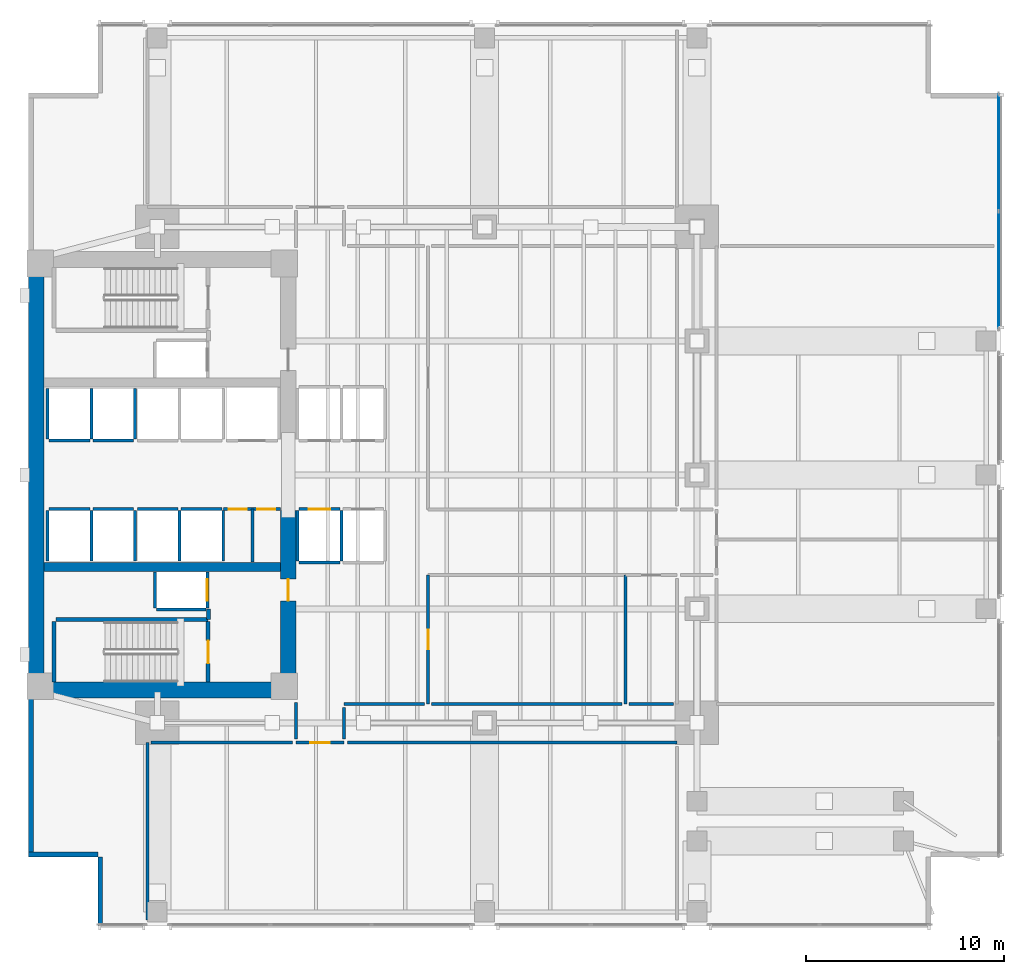
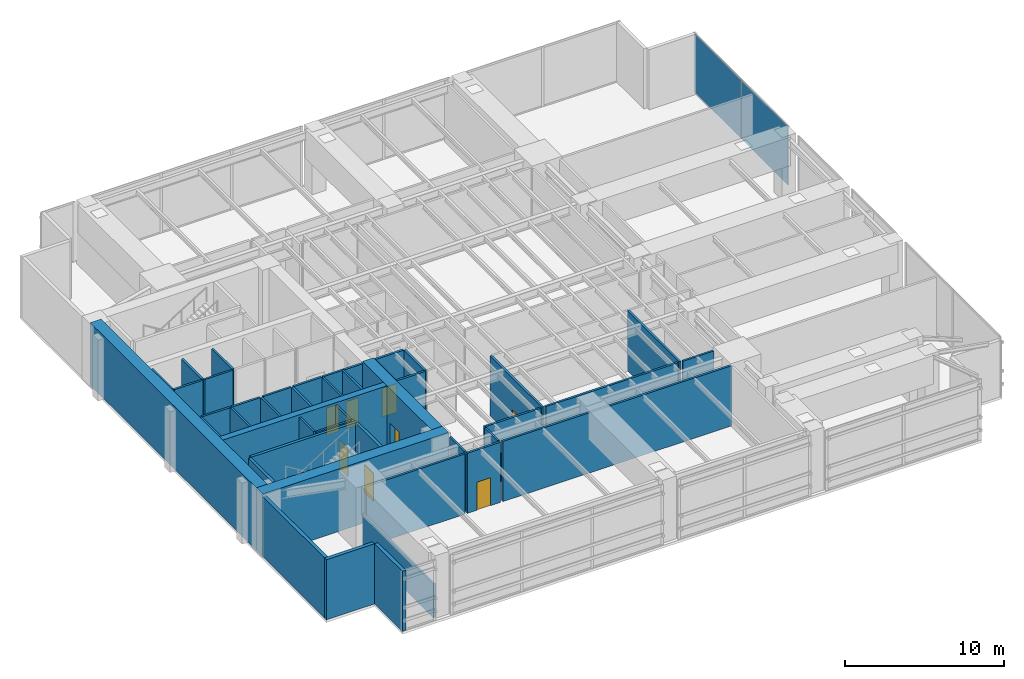
# One storey, part 8 of 14: 45 walls, 8 doors, 2 plates, 8 openings, 1 element without a shape of its own.
"""IFC4 building model written with IfcOpenShell, lengths in metres."""

from ifc_helpers import new_model, si_unit, direction, frame, frame_2d, origin, origin_2d, place, context, subcontext, project, spatial, rectangle, extrude, material, layer, layer_set, type_object, element, fill, aggregate, save


model = new_model("IFC4")

# Units and contexts
model_context = context("Model", 3, precision=1e-05, world=origin(), true_north=direction((0.0, 1.0)))
body_context = subcontext(model_context, "Body", "Model", "MODEL_VIEW")
ifc_project = project(units=[si_unit("LENGTHUNIT", "METRE"), si_unit("AREAUNIT", "SQUARE_METRE"), si_unit("VOLUMEUNIT", "CUBIC_METRE"), si_unit("PLANEANGLEUNIT", "RADIAN"), si_unit("MASSUNIT", "GRAM", prefix="KILO")], contexts=[model_context])

# Site, building, storey
site_placement = place(None, origin())
site = spatial("IfcSite", under=ifc_project, at=site_placement, CompositionType="ELEMENT")
building_placement = place(site_placement, origin())
building = spatial("IfcBuilding", under=site, at=building_placement, Name="Kinhvarn Gate Tower", CompositionType="ELEMENT")
storey_placement = place(building_placement, frame((0.0, 0.0, 93.050048828125)))
storey = spatial("IfcBuildingStorey", under=building, at=storey_placement, Name="L24", CompositionType="ELEMENT", Elevation=93.050048828125)

# Curtain wall, plates
ifc_material_1 = material(Name="Anodised aluminium AW-6063", Category="aluminium")
ifc_layer_1 = layer(ifc_material_1, 0.179931640625)
ifc_layer_set_1 = layer_set([ifc_layer_1], Name="Anodised aluminium AW-6063")
curtain_wall_type = type_object("IfcCurtainWallType", Name="CW-SYS-2", PredefinedType="NOTDEFINED", material=ifc_layer_set_1)
curtain_wall_placement = place(storey_placement, origin())
curtain_wall = element("IfcCurtainWall", 1, at=curtain_wall_placement, inside=storey, type_object=curtain_wall_type, Name="Curtain Wall CW2 (L24)", PredefinedType="NOTDEFINED")
ifc_material_2 = material(Name="Fired architectural terracotta", Category="masonry")
ifc_layer_2 = layer(ifc_material_2, 0.0400390625)
ifc_layer_set_2 = layer_set([ifc_layer_2], Name="Fired architectural terracotta")
plate_type = type_object("IfcPlateType", Name="CW-PNL-TER", PredefinedType="CURTAIN_PANEL", material=ifc_layer_set_2)
plate_1_placement = place(storey_placement, frame((53.409912109375, 35.577392578125, 0.070068359375), z_axis=(0.0, 0.0, 1.0), x_axis=(0.0, 1.0, 0.0)))
plate_1 = element("IfcPlate", 2, at=plate_1_placement, type_object=plate_type, Name="CW2 panel 1.1", PredefinedType="CURTAIN_PANEL", context=body_context, shape_type="SweptSolid", body=[
    extrude(rectangle(XDim=5.85498046875, YDim=0.0400390625, at=origin_2d()), origin(), (0.0, 0.0, 1.0), 4.47998046875),
])
plate_2_placement = place(storey_placement, frame((53.409912109375, 41.50244140625, 0.070068359375), z_axis=(0.0, 0.0, 1.0), x_axis=(0.0, 1.0, 0.0)))
plate_2 = element("IfcPlate", 3, at=plate_2_placement, type_object=plate_type, Name="CW2 panel 2.1", PredefinedType="CURTAIN_PANEL", context=body_context, shape_type="SweptSolid", body=[
    extrude(rectangle(XDim=5.85498046875, YDim=0.0400390625, at=origin_2d()), origin(), (0.0, 0.0, 1.0), 4.47998046875),
])
aggregate(curtain_wall, [plate_1, plate_2])

# Walls
ifc_material_3 = material(Name="Concrete C50/60", Category="concrete")
ifc_layer_3 = layer(ifc_material_3, 0.449951171875)
ifc_layer_set_3 = layer_set([ifc_layer_3], Name="Concrete C50/60")
wall_type_1 = type_object("IfcWallType", Name="WL-CORE-450", PredefinedType="SHEAR", material=ifc_layer_set_3)
wall_1_placement = place(storey_placement, frame((5.300048828125, 20.60009765625, 0.0), z_axis=(0.0, 0.0, 1.0), x_axis=(1.0, 0.0, 0.0)))
element("IfcWall", 4, at=wall_1_placement, inside=storey, type_object=wall_type_1, Name="Core South Spine Shear Wall L24 450 mm", PredefinedType="SHEAR", context=body_context, shape_type="SweptSolid", body=[
    extrude(rectangle(XDim=11.89990234375, YDim=0.449951171875, at=frame_2d((5.949951171875, 0.0))), origin(), (0.0, 0.0, 1.0), 4.800048828125),
])
ifc_material_4 = material(Name="Concrete C70/85", Category="concrete")
ifc_layer_4 = layer(ifc_material_4, 0.800048828125)
ifc_layer_set_4 = layer_set([ifc_layer_4], Name="Concrete C70/85")
wall_type_2 = type_object("IfcWallType", Name="WL-CORE-800", PredefinedType="SHEAR", material=ifc_layer_set_4)
wall_2_placement = place(storey_placement, frame((4.5, 14.39990234375, 0.0), z_axis=(0.0, 0.0, 1.0), x_axis=(1.0, 0.0, 0.0)))
element("IfcWall", 5, at=wall_2_placement, inside=storey, type_object=wall_type_2, Name="Core South Shear Wall L24 800 mm", PredefinedType="SHEAR", context=body_context, shape_type="SweptSolid", body=[
    extrude(rectangle(XDim=13.5, YDim=0.800048828125, at=frame_2d((6.75, 0.0))), origin(), (0.0, 0.0, 1.0), 4.800048828125),
])

# Wall, opening, door
wall_3_placement = place(storey_placement, frame((17.60009765625, 14.800048828125, 0.0), z_axis=(0.0, 0.0, 1.0), x_axis=(0.0, 1.0, 0.0)))
wall_3 = element("IfcWall", 6, at=wall_3_placement, inside=storey, type_object=wall_type_2, Name="Core East-South Shear Pier L24 800 mm", PredefinedType="SHEAR", context=body_context, shape_type="SweptSolid", body=[
    extrude(rectangle(XDim=8.64990234375, YDim=0.800048828125, at=frame_2d((4.324951171875, 0.0))), origin(), (0.0, 0.0, 1.0), 4.800048828125),
])
opening_1_placement = place(wall_3_placement, frame((4.10009765625, 0.0, 0.0)))
opening_1 = element("IfcOpeningElement", 7, at=opening_1_placement, cuts=wall_3, Name="Opening FD-02", PredefinedType="OPENING", context=body_context, shape_type="SweptSolid", body=[
    extrude(rectangle(XDim=1.10009765625, YDim=2.14990234375, at=frame_2d((0.550048828125, 1.074951171875))), frame((0.0, 0.41015625, 0.0), z_axis=(0.0, -1.0, 0.0), x_axis=(1.0, 0.0, 0.0)), (0.0, 0.0, 1.0), 0.820068359375),
])
door_type_1 = type_object("IfcDoorType", Name="DR-FD-1100", OperationType="NOTDEFINED", PredefinedType="DOOR", material=ifc_material_1)
door_1_placement = place(opening_1_placement, origin())
door_1 = element("IfcDoor", 8, at=door_1_placement, inside=storey, type_object=door_type_1, Name="Firefighting Lobby Core Door (L24)", OperationType="SINGLE_SWING_RIGHT", OverallHeight=2.14990234375, OverallWidth=1.10009765625, PredefinedType="DOOR", context=body_context, shape_type="SweptSolid", body=[
    extrude(rectangle(XDim=1.10009765625, YDim=2.14990234375, at=frame_2d((0.550048828125, 1.074951171875))), frame((0.0, 0.02490234375, 0.0), z_axis=(0.0, -1.0, 0.0), x_axis=(1.0, 0.0, 0.0)), (0.0, 0.0, 1.0), 0.050048828125),
])
fill(opening_1, door_1)

# Walls
ifc_layer_5 = layer(ifc_material_4, 0.800048828125)
ifc_layer_set_5 = layer_set([ifc_layer_5], Name="Concrete C70/85")
wall_type_3 = type_object("IfcWallType", Name="WL-COREX-800", PredefinedType="SHEAR", material=ifc_layer_set_5)
wall_4_placement = place(storey_placement, frame((4.89990234375, 14.800048828125, 0.0), z_axis=(0.0, 0.0, 1.0), x_axis=(0.0, 1.0, 0.0)))
element("IfcWall", 9, at=wall_4_placement, inside=storey, type_object=wall_type_3, Name="Core West Shear Wall L24 800 mm", PredefinedType="SHEAR", context=body_context, shape_type="SweptSolid", body=[
    extrude(rectangle(XDim=20.89990234375, YDim=0.800048828125, at=frame_2d((10.449951171875, 0.0))), origin(), (0.0, 0.0, 1.0), 4.800048828125),
])
ifc_layer_6 = layer(ifc_material_2, 0.25)
ifc_layer_set_6 = layer_set([ifc_layer_6], Name="Fired architectural terracotta")
wall_type_4 = type_object("IfcWallType", Name="WL-EXT-250", PredefinedType="SOLIDWALL", material=ifc_layer_set_6)
wall_5_placement = place(storey_placement, frame((4.625, 14.0, 0.0), z_axis=(0.0, 0.0, 1.0), x_axis=(0.0, -1.0, 0.0)))
element("IfcWall", 10, at=wall_5_placement, inside=storey, type_object=wall_type_4, Name="Exterior Solidwall Wall EW-250 (L24 West-South)", PredefinedType="SOLIDWALL", context=body_context, shape_type="SweptSolid", body=[
    extrude(rectangle(XDim=8.0, YDim=0.25, at=frame_2d((4.0, 0.0))), origin(), (0.0, 0.0, 1.0), 4.619873046875),
])
for number, where, z_axis, x_axis, name in (
    (11, (4.5, 6.125, 0.0), (0.0, 0.0, 1.0), (1.0, 0.0, 0.0), "Exterior Solidwall Wall EW-250 (L24 SW-Notch-1)"),
    (12, (8.125, 6.0, 0.0), (0.0, 0.0, 1.0), (0.0, -1.0, 0.0), "Exterior Solidwall Wall EW-250 (L24 SW-Notch-2)"),
):
    element("IfcWall", number, at=place(storey_placement, frame(where, z_axis=z_axis, x_axis=x_axis)), inside=storey, type_object=wall_type_4, Name=name, PredefinedType="SOLIDWALL", context=body_context, shape_type="SweptSolid", body=[
        extrude(rectangle(XDim=3.5, YDim=0.25, at=frame_2d((1.75, 0.0))), origin(), (0.0, 0.0, 1.0), 4.619873046875),
    ])
ifc_material_5 = material(Name="Gypsum acoustic partition board")
ifc_layer_7 = layer(ifc_material_5, 0.14990234375)
ifc_layer_set_7 = layer_set([ifc_layer_7], Name="Gypsum acoustic partition board")
wall_type_5 = type_object("IfcWallType", Name="WL-PLM-150", PredefinedType="PLUMBINGWALL", material=ifc_layer_set_7)
wall_6_placement = place(storey_placement, frame((34.60009765625, 13.699951171875, 0.0), z_axis=(0.0, 0.0, 1.0), x_axis=(0.0, 1.0, 0.0)))
element("IfcWall", 13, at=wall_6_placement, inside=storey, type_object=wall_type_5, Name="Interior Partition PLW-150 (L24)", PredefinedType="PLUMBINGWALL", context=body_context, shape_type="SweptSolid", body=[
    extrude(rectangle(XDim=6.5, YDim=0.14990234375, at=frame_2d((3.25, 0.0))), origin(), (0.0, 0.0, 1.0), 4.619873046875),
])
ifc_layer_8 = layer(ifc_material_5, 0.14990234375)
ifc_layer_set_8 = layer_set([ifc_layer_8], Name="Gypsum acoustic partition board")
wall_type_6 = type_object("IfcWallType", Name="WL-PRT-150F", PredefinedType="PARTITIONING", material=ifc_layer_set_8)
wall_7_placement = place(storey_placement, frame((15.800048828125, 20.85009765625, 0.0), z_axis=(0.0, 0.0, 1.0), x_axis=(0.0, 1.0, 0.0)))
element("IfcWall", 14, at=wall_7_placement, inside=storey, type_object=wall_type_6, Name="Interior Partition PW-150F (L24)", PredefinedType="PARTITIONING", context=body_context, shape_type="SweptSolid", body=[
    extrude(rectangle(XDim=2.669921875, YDim=0.14990234375, at=frame_2d((1.3349609375, 0.0))), origin(), (0.0, 0.0, 1.0), 4.619873046875),
])

# Wall, openings, doors
wall_8_placement = place(storey_placement, frame((14.330078125, 23.52001953125, 0.0), z_axis=(0.0, 0.0, 1.0), x_axis=(1.0, 0.0, 0.0)))
wall_8 = element("IfcWall", 15, at=wall_8_placement, inside=storey, type_object=wall_type_6, Name="Interior Partition PW-150F (L24)", PredefinedType="PARTITIONING", context=body_context, shape_type="SweptSolid", body=[
    extrude(rectangle(XDim=2.889892578125, YDim=0.14990234375, at=frame_2d((1.44482421875, 0.0))), origin(), (0.0, 0.0, 1.0), 4.619873046875),
])
opening_2_placement = place(wall_8_placement, frame((0.280029296875, 0.0, 0.0)))
opening_2 = element("IfcOpeningElement", 16, at=opening_2_placement, cuts=wall_8, Name="Opening FD-04", PredefinedType="OPENING", context=body_context, shape_type="SweptSolid", body=[
    extrude(rectangle(XDim=0.89990234375, YDim=2.10009765625, at=frame_2d((0.449951171875, 1.050048828125))), frame((0.0, 0.0849609375, 0.0), z_axis=(0.0, -1.0, 0.0), x_axis=(1.0, 0.0, 0.0)), (0.0, 0.0, 1.0), 0.169921875),
])
opening_3_placement = place(wall_8_placement, frame((1.7099609375, 0.0, 0.0)))
opening_3 = element("IfcOpeningElement", 17, at=opening_3_placement, cuts=wall_8, Name="Opening FD-04", PredefinedType="OPENING", context=body_context, shape_type="SweptSolid", body=[
    extrude(rectangle(XDim=0.89990234375, YDim=2.10009765625, at=frame_2d((0.449951171875, 1.050048828125))), frame((0.0, 0.0849609375, 0.0), z_axis=(0.0, -1.0, 0.0), x_axis=(1.0, 0.0, 0.0)), (0.0, 0.0, 1.0), 0.169921875),
])
door_type_2 = type_object("IfcDoorType", Name="DR-FD-900", OperationType="NOTDEFINED", PredefinedType="DOOR", material=ifc_material_1)
door_2_placement = place(opening_2_placement, origin())
door_2 = element("IfcDoor", 18, at=door_2_placement, inside=storey, type_object=door_type_2, Name="Rated Riser & Service Closet Fire Door 900x2100 mm (L24)", OperationType="SINGLE_SWING_LEFT", OverallHeight=2.10009765625, OverallWidth=0.89990234375, PredefinedType="DOOR", context=body_context, shape_type="SweptSolid", body=[
    extrude(rectangle(XDim=0.89990234375, YDim=2.10009765625, at=frame_2d((0.449951171875, 1.050048828125))), frame((0.0, 0.02490234375, 0.0), z_axis=(0.0, -1.0, 0.0), x_axis=(1.0, 0.0, 0.0)), (0.0, 0.0, 1.0), 0.050048828125),
])
fill(opening_2, door_2)
door_3_placement = place(opening_3_placement, origin())
door_3 = element("IfcDoor", 19, at=door_3_placement, inside=storey, type_object=door_type_2, Name="Rated Riser & Service Closet Fire Door 900x2100 mm (L24)", OperationType="SINGLE_SWING_RIGHT", OverallHeight=2.10009765625, OverallWidth=0.89990234375, PredefinedType="DOOR", context=body_context, shape_type="SweptSolid", body=[
    extrude(rectangle(XDim=0.89990234375, YDim=2.10009765625, at=frame_2d((0.449951171875, 1.050048828125))), frame((0.0, 0.02490234375, 0.0), z_axis=(0.0, -1.0, 0.0), x_axis=(1.0, 0.0, 0.0)), (0.0, 0.0, 1.0), 0.050048828125),
])
fill(opening_3, door_3)

# Wall, opening, door
wall_9_placement = place(storey_placement, frame((24.64990234375, 13.699951171875, 0.0), z_axis=(0.0, 0.0, 1.0), x_axis=(0.0, 1.0, 0.0)))
wall_9 = element("IfcWall", 20, at=wall_9_placement, inside=storey, type_object=wall_type_6, Name="Interior Partition PW-150F (L24)", PredefinedType="PARTITIONING", context=body_context, shape_type="SweptSolid", body=[
    extrude(rectangle(XDim=6.5, YDim=0.14990234375, at=frame_2d((3.25, 0.0))), origin(), (0.0, 0.0, 1.0), 4.619873046875),
])
opening_4_placement = place(wall_9_placement, frame((2.75, 0.0, 0.0)))
opening_4 = element("IfcOpeningElement", 21, at=opening_4_placement, cuts=wall_9, Name="Opening FD-03", PredefinedType="OPENING", context=body_context, shape_type="SweptSolid", body=[
    extrude(rectangle(XDim=1.0, YDim=2.14990234375, at=frame_2d((0.5, 1.074951171875))), frame((0.0, 0.0849609375, 0.0), z_axis=(0.0, -1.0, 0.0), x_axis=(1.0, 0.0, 0.0)), (0.0, 0.0, 1.0), 0.169921875),
])
door_type_3 = type_object("IfcDoorType", Name="DR-FD-1000", OperationType="NOTDEFINED", PredefinedType="DOOR", material=ifc_material_1)
door_4_placement = place(opening_4_placement, origin())
door_4 = element("IfcDoor", 22, at=door_4_placement, inside=storey, type_object=door_type_3, Name="Rated Plant & Corridor Fire Door 1000x2150 mm (L24)", OperationType="SINGLE_SWING_LEFT", OverallHeight=2.14990234375, OverallWidth=1.0, PredefinedType="DOOR", context=body_context, shape_type="SweptSolid", body=[
    extrude(rectangle(XDim=1.0, YDim=2.14990234375, at=frame_2d((0.5, 1.074951171875))), frame((0.0, 0.02490234375, 0.0), z_axis=(0.0, -1.0, 0.0), x_axis=(1.0, 0.0, 0.0)), (0.0, 0.0, 1.0), 0.050048828125),
])
fill(opening_4, door_4)

wall_10_placement = place(storey_placement, frame((18.0, 11.75, 0.0), z_axis=(0.0, 0.0, 1.0), x_axis=(1.0, 0.0, 0.0)))
wall_10 = element("IfcWall", 23, at=wall_10_placement, inside=storey, type_object=wall_type_6, Name="Interior Partition PW-150F (L24)", PredefinedType="PARTITIONING", context=body_context, shape_type="SweptSolid", body=[
    extrude(rectangle(XDim=2.39990234375, YDim=0.14990234375, at=frame_2d((1.199951171875, 0.0))), origin(), (0.0, 0.0, 1.0), 4.619873046875),
])
opening_5_placement = place(wall_10_placement, frame((0.699951171875, 0.0, 0.0)))
opening_5 = element("IfcOpeningElement", 24, at=opening_5_placement, cuts=wall_10, Name="Opening FD-03", PredefinedType="OPENING", context=body_context, shape_type="SweptSolid", body=[
    extrude(rectangle(XDim=1.0, YDim=2.14990234375, at=frame_2d((0.5, 1.074951171875))), frame((0.0, 0.0849609375, 0.0), z_axis=(0.0, -1.0, 0.0), x_axis=(1.0, 0.0, 0.0)), (0.0, 0.0, 1.0), 0.169921875),
])
door_5_placement = place(opening_5_placement, origin())
door_5 = element("IfcDoor", 25, at=door_5_placement, inside=storey, type_object=door_type_3, Name="Rated Plant & Corridor Fire Door 1000x2150 mm (L24)", OperationType="SINGLE_SWING_LEFT", OverallHeight=2.14990234375, OverallWidth=1.0, PredefinedType="DOOR", context=body_context, shape_type="SweptSolid", body=[
    extrude(rectangle(XDim=1.0, YDim=2.14990234375, at=frame_2d((0.5, 1.074951171875))), frame((0.0, 0.02490234375, 0.0), z_axis=(0.0, -1.0, 0.0), x_axis=(1.0, 0.0, 0.0)), (0.0, 0.0, 1.0), 0.050048828125),
])
fill(opening_5, door_5)

# Walls
wall_11_placement = place(storey_placement, frame((37.02001953125, 13.699951171875, 0.0), z_axis=(0.0, 0.0, 1.0), x_axis=(-1.0, 0.0, 0.0)))
element("IfcWall", 26, at=wall_11_placement, inside=storey, type_object=wall_type_6, Name="Interior Partition PW-150F (L24)", PredefinedType="PARTITIONING", context=body_context, shape_type="SweptSolid", body=[
    extrude(rectangle(XDim=2.239990234375, YDim=0.14990234375, at=frame_2d((1.1201171875, 0.0))), origin(), (0.0, 0.0, 1.0), 4.619873046875),
])
wall_12_placement = place(storey_placement, frame((34.419921875, 13.699951171875, 0.0), z_axis=(0.0, 0.0, 1.0), x_axis=(-1.0, 0.0, 0.0)))
element("IfcWall", 27, at=wall_12_placement, inside=storey, type_object=wall_type_6, Name="Interior Partition PW-150F (L24)", PredefinedType="PARTITIONING", context=body_context, shape_type="SweptSolid", body=[
    extrude(rectangle(XDim=9.58984375, YDim=0.14990234375, at=frame_2d((4.794921875, 0.0))), origin(), (0.0, 0.0, 1.0), 4.619873046875),
])
wall_13_placement = place(storey_placement, frame((24.469970703125, 13.699951171875, 0.0), z_axis=(0.0, 0.0, 1.0), x_axis=(-1.0, 0.0, 0.0)))
element("IfcWall", 28, at=wall_13_placement, inside=storey, type_object=wall_type_6, Name="Interior Partition PW-150F (L24)", PredefinedType="PARTITIONING", context=body_context, shape_type="SweptSolid", body=[
    extrude(rectangle(XDim=4.070068359375, YDim=0.14990234375, at=frame_2d((2.03515625, 0.0))), origin(), (0.0, 0.0, 1.0), 4.619873046875),
])
wall_14_placement = place(storey_placement, frame((20.39990234375, 13.52001953125, 0.0), z_axis=(0.0, 0.0, 1.0), x_axis=(0.0, -1.0, 0.0)))
element("IfcWall", 29, at=wall_14_placement, inside=storey, type_object=wall_type_6, Name="Interior Partition PW-150F (L24)", PredefinedType="PARTITIONING", context=body_context, shape_type="SweptSolid", body=[
    extrude(rectangle(XDim=1.590087890625, YDim=0.14990234375, at=frame_2d((0.794921875, 0.0))), origin(), (0.0, 0.0, 1.0), 4.619873046875),
])
wall_15_placement = place(storey_placement, frame((20.580078125, 11.75, 0.0), z_axis=(0.0, 0.0, 1.0), x_axis=(1.0, 0.0, 0.0)))
element("IfcWall", 30, at=wall_15_placement, inside=storey, type_object=wall_type_6, Name="Interior Partition PW-150F (L24)", PredefinedType="PARTITIONING", context=body_context, shape_type="SweptSolid", body=[
    extrude(rectangle(XDim=16.619873046875, YDim=0.14990234375, at=frame_2d((8.31005859375, 0.0))), origin(), (0.0, 0.0, 1.0), 4.619873046875),
])
wall_16_placement = place(storey_placement, frame((10.5, 2.820068359375, 0.0), z_axis=(0.0, 0.0, 1.0), x_axis=(0.0, 1.0, 0.0)))
element("IfcWall", 31, at=wall_16_placement, inside=storey, type_object=wall_type_6, Name="Interior Partition PW-150F (L24)", PredefinedType="PARTITIONING", context=body_context, shape_type="SweptSolid", body=[
    extrude(rectangle(XDim=8.929931640625, YDim=0.14990234375, at=frame_2d((4.46484375, 0.0))), origin(), (0.0, 0.0, 1.0), 2.599853515625),
])
wall_17_placement = place(storey_placement, frame((10.679931640625, 11.75, 0.0), z_axis=(0.0, 0.0, 1.0), x_axis=(1.0, 0.0, 0.0)))
element("IfcWall", 32, at=wall_17_placement, inside=storey, type_object=wall_type_6, Name="Interior Partition PW-150F (L24)", PredefinedType="PARTITIONING", context=body_context, shape_type="SweptSolid", body=[
    extrude(rectangle(XDim=7.14013671875, YDim=0.14990234375, at=frame_2d((3.570068359375, 0.0))), origin(), (0.0, 0.0, 1.0), 4.619873046875),
])
wall_18_placement = place(storey_placement, frame((18.0, 11.929931640625, 0.0), z_axis=(0.0, 0.0, 1.0), x_axis=(0.0, 1.0, 0.0)))
element("IfcWall", 33, at=wall_18_placement, inside=storey, type_object=wall_type_6, Name="Interior Partition PW-150F (L24)", PredefinedType="PARTITIONING", context=body_context, shape_type="SweptSolid", body=[
    extrude(rectangle(XDim=1.85009765625, YDim=0.14990234375, at=frame_2d((0.925048828125, 0.0))), origin(), (0.0, 0.0, 1.0), 4.619873046875),
])
ifc_layer_9 = layer(ifc_material_5, 0.199951171875)
ifc_layer_set_9 = layer_set([ifc_layer_9], Name="Gypsum acoustic partition board")
wall_type_7 = type_object("IfcWallType", Name="WL-PRT-200", PredefinedType="PARTITIONING", material=ifc_layer_set_9)
wall_19_placement = place(storey_placement, frame((13.580078125, 17.9599609375, 0.0), z_axis=(0.0, 0.0, 1.0), x_axis=(0.0, 1.0, 0.0)))
element("IfcWall", 34, at=wall_19_placement, inside=storey, type_object=wall_type_7, Name="Interior Partition PW-200 (L24)", PredefinedType="PARTITIONING", context=body_context, shape_type="SweptSolid", body=[
    extrude(rectangle(XDim=0.5400390625, YDim=0.199951171875, at=frame_2d((0.27001953125, 0.0))), origin(), (0.0, 0.0, 1.0), 4.619873046875),
])
ifc_layer_10 = layer(ifc_material_5, 0.14990234375)
ifc_layer_set_10 = layer_set([ifc_layer_10], Name="Gypsum acoustic partition board")
wall_type_8 = type_object("IfcWallType", Name="WL-SHF-150", PredefinedType="PARTITIONING", material=ifc_layer_set_10)
wall_20_placement = place(storey_placement, frame((18.14990234375, 20.824951171875, 0.0), z_axis=(0.0, 0.0, 1.0), x_axis=(1.0, 0.0, 0.0)))
element("IfcWall", 35, at=wall_20_placement, inside=storey, type_object=wall_type_8, Name="Elevator PL-01 Hoistway Wall S (L24)", PredefinedType="PARTITIONING", context=body_context, shape_type="SweptSolid", body=[
    extrude(rectangle(XDim=2.050048828125, YDim=0.14990234375, at=frame_2d((1.02490234375, 0.0))), origin(), (0.0, 0.0, 1.0), 4.619873046875),
])

# Wall, opening, door
wall_21_placement = place(storey_placement, frame((18.14990234375, 23.52490234375, 0.0), z_axis=(0.0, 0.0, 1.0), x_axis=(1.0, 0.0, 0.0)))
wall_21 = element("IfcWall", 36, at=wall_21_placement, inside=storey, type_object=wall_type_8, Name="Elevator PL-01 Landing Wall (L24)", PredefinedType="PARTITIONING", context=body_context, shape_type="SweptSolid", body=[
    extrude(rectangle(XDim=2.050048828125, YDim=0.14990234375, at=frame_2d((1.02490234375, 0.0))), origin(), (0.0, 0.0, 1.0), 4.619873046875),
])
opening_6_placement = place(wall_21_placement, frame((0.47509765625, 0.0, 0.0)))
opening_6 = element("IfcOpeningElement", 37, at=opening_6_placement, cuts=wall_21, Name="Opening LD-01", PredefinedType="OPENING", context=body_context, shape_type="SweptSolid", body=[
    extrude(rectangle(XDim=1.10009765625, YDim=2.199951171875, at=frame_2d((0.550048828125, 1.10009765625))), frame((0.0, 0.0849609375, 0.0), z_axis=(0.0, -1.0, 0.0), x_axis=(1.0, 0.0, 0.0)), (0.0, 0.0, 1.0), 0.169921875),
])
door_type_4 = type_object("IfcDoorType", Name="DR-LND-PAS", OperationType="NOTDEFINED", PredefinedType="DOOR", material=ifc_material_1)
door_6_placement = place(opening_6_placement, origin())
door_6 = element("IfcDoor", 38, at=door_6_placement, inside=storey, type_object=door_type_4, Name="Elevator PL-01 Sliding Landing Door (L24)", OperationType="DOUBLE_DOOR_SLIDING", OverallHeight=2.199951171875, OverallWidth=1.10009765625, PredefinedType="DOOR", context=body_context, shape_type="SweptSolid", body=[
    extrude(rectangle(XDim=1.10009765625, YDim=2.199951171875, at=frame_2d((0.550048828125, 1.10009765625))), frame((0.0, 0.02490234375, 0.0), z_axis=(0.0, -1.0, 0.0), x_axis=(1.0, 0.0, 0.0)), (0.0, 0.0, 1.0), 0.050048828125),
])
fill(opening_6, door_6)

# Walls
for number, where, z_axis, x_axis, name in (
    (39, (18.074951171875, 20.89990234375, 0.0), (0.0, 0.0, 1.0), (0.0, 1.0, 0.0), "Elevator PL-01 Hoistway Wall W (L24)"),
    (40, (20.27490234375, 20.89990234375, 0.0), (0.0, 0.0, 1.0), (0.0, 1.0, 0.0), "Elevator PL-01 Hoistway Wall E (L24)"),
):
    element("IfcWall", number, at=place(storey_placement, frame(where, z_axis=z_axis, x_axis=x_axis)), inside=storey, type_object=wall_type_8, Name=name, PredefinedType="PARTITIONING", context=body_context, shape_type="SweptSolid", body=[
        extrude(rectangle(XDim=2.550048828125, YDim=0.14990234375, at=frame_2d((1.27490234375, 0.0))), origin(), (0.0, 0.0, 1.0), 4.619873046875),
    ])
wall_22_placement = place(storey_placement, frame((5.550048828125, 23.52490234375, 0.0), z_axis=(0.0, 0.0, 1.0), x_axis=(1.0, 0.0, 0.0)))
element("IfcWall", 41, at=wall_22_placement, inside=storey, type_object=wall_type_8, Name="Elevator PM-05 Landing Wall (L24)", PredefinedType="PARTITIONING", context=body_context, shape_type="SweptSolid", body=[
    extrude(rectangle(XDim=2.050048828125, YDim=0.14990234375, at=frame_2d((1.02490234375, 0.0))), origin(), (0.0, 0.0, 1.0), 4.619873046875),
])
for number, where, z_axis, x_axis, name in (
    (42, (5.47509765625, 20.89990234375, 0.0), (0.0, 0.0, 1.0), (0.0, 1.0, 0.0), "Elevator PM-05 Hoistway Wall W (L24)"),
    (43, (7.675048828125, 20.89990234375, 0.0), (0.0, 0.0, 1.0), (0.0, 1.0, 0.0), "Elevator PM-05 Hoistway Wall E (L24)"),
):
    element("IfcWall", number, at=place(storey_placement, frame(where, z_axis=z_axis, x_axis=x_axis)), inside=storey, type_object=wall_type_8, Name=name, PredefinedType="PARTITIONING", context=body_context, shape_type="SweptSolid", body=[
        extrude(rectangle(XDim=2.550048828125, YDim=0.14990234375, at=frame_2d((1.27490234375, 0.0))), origin(), (0.0, 0.0, 1.0), 4.619873046875),
    ])
wall_23_placement = place(storey_placement, frame((7.75, 23.52490234375, 0.0), z_axis=(0.0, 0.0, 1.0), x_axis=(1.0, 0.0, 0.0)))
element("IfcWall", 44, at=wall_23_placement, inside=storey, type_object=wall_type_8, Name="Elevator PM-06 Landing Wall (L24)", PredefinedType="PARTITIONING", context=body_context, shape_type="SweptSolid", body=[
    extrude(rectangle(XDim=2.050048828125, YDim=0.14990234375, at=frame_2d((1.02490234375, 0.0))), origin(), (0.0, 0.0, 1.0), 4.619873046875),
])
wall_24_placement = place(storey_placement, frame((9.875, 20.89990234375, 0.0), z_axis=(0.0, 0.0, 1.0), x_axis=(0.0, 1.0, 0.0)))
element("IfcWall", 45, at=wall_24_placement, inside=storey, type_object=wall_type_8, Name="Elevator PM-06 Hoistway Wall E (L24)", PredefinedType="PARTITIONING", context=body_context, shape_type="SweptSolid", body=[
    extrude(rectangle(XDim=2.550048828125, YDim=0.14990234375, at=frame_2d((1.27490234375, 0.0))), origin(), (0.0, 0.0, 1.0), 4.619873046875),
])
wall_25_placement = place(storey_placement, frame((5.550048828125, 26.97509765625, 0.0), z_axis=(0.0, 0.0, 1.0), x_axis=(1.0, 0.0, 0.0)))
element("IfcWall", 46, at=wall_25_placement, inside=storey, type_object=wall_type_8, Name="Elevator PM-07 Landing Wall (L24)", PredefinedType="PARTITIONING", context=body_context, shape_type="SweptSolid", body=[
    extrude(rectangle(XDim=2.050048828125, YDim=0.14990234375, at=frame_2d((1.02490234375, 0.0))), origin(), (0.0, 0.0, 1.0), 4.619873046875),
])
for number, where, z_axis, x_axis, name in (
    (47, (5.47509765625, 27.050048828125, 0.0), (0.0, 0.0, 1.0), (0.0, 1.0, 0.0), "Elevator PM-07 Hoistway Wall W (L24)"),
    (48, (7.675048828125, 27.050048828125, 0.0), (0.0, 0.0, 1.0), (0.0, 1.0, 0.0), "Elevator PM-07 Hoistway Wall E (L24)"),
):
    element("IfcWall", number, at=place(storey_placement, frame(where, z_axis=z_axis, x_axis=x_axis)), inside=storey, type_object=wall_type_8, Name=name, PredefinedType="PARTITIONING", context=body_context, shape_type="SweptSolid", body=[
        extrude(rectangle(XDim=2.550048828125, YDim=0.14990234375, at=frame_2d((1.27490234375, 0.0))), origin(), (0.0, 0.0, 1.0), 4.619873046875),
    ])
wall_26_placement = place(storey_placement, frame((7.75, 26.97509765625, 0.0), z_axis=(0.0, 0.0, 1.0), x_axis=(1.0, 0.0, 0.0)))
element("IfcWall", 49, at=wall_26_placement, inside=storey, type_object=wall_type_8, Name="Elevator PM-08 Landing Wall (L24)", PredefinedType="PARTITIONING", context=body_context, shape_type="SweptSolid", body=[
    extrude(rectangle(XDim=2.050048828125, YDim=0.14990234375, at=frame_2d((1.02490234375, 0.0))), origin(), (0.0, 0.0, 1.0), 4.619873046875),
])
wall_27_placement = place(storey_placement, frame((9.875, 27.050048828125, 0.0), z_axis=(0.0, 0.0, 1.0), x_axis=(0.0, 1.0, 0.0)))
element("IfcWall", 50, at=wall_27_placement, inside=storey, type_object=wall_type_8, Name="Elevator PM-08 Hoistway Wall E (L24)", PredefinedType="PARTITIONING", context=body_context, shape_type="SweptSolid", body=[
    extrude(rectangle(XDim=2.550048828125, YDim=0.14990234375, at=frame_2d((1.27490234375, 0.0))), origin(), (0.0, 0.0, 1.0), 4.619873046875),
])
wall_28_placement = place(storey_placement, frame((10.0, 23.52490234375, 0.0), z_axis=(0.0, 0.0, 1.0), x_axis=(1.0, 0.0, 0.0)))
element("IfcWall", 51, at=wall_28_placement, inside=storey, type_object=wall_type_8, Name="Elevator PH-09 Landing Wall (L24)", PredefinedType="PARTITIONING", context=body_context, shape_type="SweptSolid", body=[
    extrude(rectangle(XDim=2.050048828125, YDim=0.14990234375, at=frame_2d((1.02490234375, 0.0))), origin(), (0.0, 0.0, 1.0), 4.619873046875),
])
wall_29_placement = place(storey_placement, frame((12.125, 20.89990234375, 0.0), z_axis=(0.0, 0.0, 1.0), x_axis=(0.0, 1.0, 0.0)))
element("IfcWall", 52, at=wall_29_placement, inside=storey, type_object=wall_type_8, Name="Elevator PH-09 Hoistway Wall E (L24)", PredefinedType="PARTITIONING", context=body_context, shape_type="SweptSolid", body=[
    extrude(rectangle(XDim=2.550048828125, YDim=0.14990234375, at=frame_2d((1.27490234375, 0.0))), origin(), (0.0, 0.0, 1.0), 4.619873046875),
])
wall_30_placement = place(storey_placement, frame((12.199951171875, 23.52490234375, 0.0), z_axis=(0.0, 0.0, 1.0), x_axis=(1.0, 0.0, 0.0)))
element("IfcWall", 53, at=wall_30_placement, inside=storey, type_object=wall_type_8, Name="Elevator PH-10 Landing Wall (L24)", PredefinedType="PARTITIONING", context=body_context, shape_type="SweptSolid", body=[
    extrude(rectangle(XDim=2.050048828125, YDim=0.14990234375, at=frame_2d((1.02490234375, 0.0))), origin(), (0.0, 0.0, 1.0), 4.619873046875),
])
wall_31_placement = place(storey_placement, frame((14.324951171875, 20.89990234375, 0.0), z_axis=(0.0, 0.0, 1.0), x_axis=(0.0, 1.0, 0.0)))
element("IfcWall", 54, at=wall_31_placement, inside=storey, type_object=wall_type_8, Name="Elevator PH-10 Hoistway Wall E (L24)", PredefinedType="PARTITIONING", context=body_context, shape_type="SweptSolid", body=[
    extrude(rectangle(XDim=2.550048828125, YDim=0.14990234375, at=frame_2d((1.27490234375, 0.0))), origin(), (0.0, 0.0, 1.0), 4.619873046875),
])
wall_32_placement = place(storey_placement, frame((10.949951171875, 18.47509765625, 0.0), z_axis=(0.0, 0.0, 1.0), x_axis=(1.0, 0.0, 0.0)))
element("IfcWall", 55, at=wall_32_placement, inside=storey, type_object=wall_type_8, Name="Elevator FF1 Hoistway Wall S (L24)", PredefinedType="PARTITIONING", context=body_context, shape_type="SweptSolid", body=[
    extrude(rectangle(XDim=2.5, YDim=0.14990234375, at=frame_2d((1.25, 0.0))), origin(), (0.0, 0.0, 1.0), 4.619873046875),
])
wall_33_placement = place(storey_placement, frame((10.875, 18.550048828125, 0.0), z_axis=(0.0, 0.0, 1.0), x_axis=(0.0, 1.0, 0.0)))
element("IfcWall", 56, at=wall_33_placement, inside=storey, type_object=wall_type_8, Name="Elevator FF1 Hoistway Wall W (L24)", PredefinedType="PARTITIONING", context=body_context, shape_type="SweptSolid", body=[
    extrude(rectangle(XDim=1.800048828125, YDim=0.14990234375, at=frame_2d((0.89990234375, 0.0))), origin(), (0.0, 0.0, 1.0), 4.619873046875),
])

# Wall, opening, door
wall_34_placement = place(storey_placement, frame((13.52490234375, 18.550048828125, 0.0), z_axis=(0.0, 0.0, 1.0), x_axis=(0.0, 1.0, 0.0)))
wall_34 = element("IfcWall", 57, at=wall_34_placement, inside=storey, type_object=wall_type_8, Name="Elevator FF1 Landing Wall (L24)", PredefinedType="PARTITIONING", context=body_context, shape_type="SweptSolid", body=[
    extrude(rectangle(XDim=1.800048828125, YDim=0.14990234375, at=frame_2d((0.89990234375, 0.0))), origin(), (0.0, 0.0, 1.0), 4.619873046875),
])
opening_7_placement = place(wall_34_placement, frame((0.35009765625, 0.0, 0.0)))
opening_7 = element("IfcOpeningElement", 58, at=opening_7_placement, cuts=wall_34, Name="Opening LD-03", PredefinedType="OPENING", context=body_context, shape_type="SweptSolid", body=[
    extrude(rectangle(XDim=1.10009765625, YDim=2.199951171875, at=frame_2d((0.550048828125, 1.10009765625))), frame((0.0, 0.0849609375, 0.0), z_axis=(0.0, -1.0, 0.0), x_axis=(1.0, 0.0, 0.0)), (0.0, 0.0, 1.0), 0.169921875),
])
door_type_5 = type_object("IfcDoorType", Name="DR-LND-FF", OperationType="NOTDEFINED", PredefinedType="DOOR", material=ifc_material_1)
door_7_placement = place(opening_7_placement, origin())
door_7 = element("IfcDoor", 59, at=door_7_placement, inside=storey, type_object=door_type_5, Name="Elevator FF1 Sliding Landing Door (L24)", OperationType="DOUBLE_DOOR_SLIDING", OverallHeight=2.199951171875, OverallWidth=1.10009765625, PredefinedType="DOOR", context=body_context, shape_type="SweptSolid", body=[
    extrude(rectangle(XDim=1.10009765625, YDim=2.199951171875, at=frame_2d((0.550048828125, 1.10009765625))), frame((0.0, 0.02490234375, 0.0), z_axis=(0.0, -1.0, 0.0), x_axis=(1.0, 0.0, 0.0)), (0.0, 0.0, 1.0), 0.050048828125),
])
fill(opening_7, door_7)

# Walls
ifc_material_6 = material(Name="Concrete C40/50", Category="concrete")
ifc_layer_11 = layer(ifc_material_6, 0.199951171875)
ifc_layer_set_11 = layer_set([ifc_layer_11], Name="Concrete C40/50")
wall_type_9 = type_object("IfcWallType", Name="WL-SHF-200", PredefinedType="SOLIDWALL", material=ifc_layer_set_11)
wall_35_placement = place(storey_placement, frame((5.7900390625, 14.800048828125, 0.0), z_axis=(0.0, 0.0, 1.0), x_axis=(0.0, 1.0, 0.0)))
element("IfcWall", 60, at=wall_35_placement, inside=storey, type_object=wall_type_9, Name="Stair ST1 West Shaft Wall (L24)", PredefinedType="SOLIDWALL", context=body_context, shape_type="SweptSolid", body=[
    extrude(rectangle(XDim=3.050048828125, YDim=0.199951171875, at=frame_2d((1.52490234375, 0.0))), origin(), (0.0, 0.0, 1.0), 4.800048828125),
])
wall_36_placement = place(storey_placement, frame((5.89990234375, 17.9599609375, 0.0), z_axis=(0.0, 0.0, 1.0), x_axis=(1.0, 0.0, 0.0)))
element("IfcWall", 61, at=wall_36_placement, inside=storey, type_object=wall_type_9, Name="Stair ST1 North Shaft Wall (L24)", PredefinedType="SOLIDWALL", context=body_context, shape_type="SweptSolid", body=[
    extrude(rectangle(XDim=7.66015625, YDim=0.199951171875, at=frame_2d((3.830078125, 0.0))), origin(), (0.0, 0.0, 1.0), 4.800048828125),
])

# Wall, opening, door
wall_37_placement = place(storey_placement, frame((13.56005859375, 14.800048828125, 0.0), z_axis=(0.0, 0.0, 1.0), x_axis=(0.0, 1.0, 0.0)))
wall_37 = element("IfcWall", 62, at=wall_37_placement, inside=storey, type_object=wall_type_9, Name="Stair ST1 East Entry Wall (L24)", PredefinedType="SOLIDWALL", context=body_context, shape_type="SweptSolid", body=[
    extrude(rectangle(XDim=3.050048828125, YDim=0.199951171875, at=frame_2d((1.52490234375, 0.0))), origin(), (0.0, 0.0, 1.0), 4.800048828125),
])
opening_8_placement = place(wall_37_placement, frame((0.949951171875, 0.0, 0.0)))
opening_8 = element("IfcOpeningElement", 63, at=opening_8_placement, cuts=wall_37, Name="Opening FD-01", PredefinedType="OPENING", context=body_context, shape_type="SweptSolid", body=[
    extrude(rectangle(XDim=1.14990234375, YDim=2.14990234375, at=frame_2d((0.574951171875, 1.074951171875))), frame((0.0, 0.10986328125, 0.0), z_axis=(0.0, -1.0, 0.0), x_axis=(1.0, 0.0, 0.0)), (0.0, 0.0, 1.0), 0.219970703125),
])
door_type_6 = type_object("IfcDoorType", Name="DR-ST-1150", OperationType="NOTDEFINED", PredefinedType="DOOR", material=ifc_material_1)
door_8_placement = place(opening_8_placement, origin())
door_8 = element("IfcDoor", 64, at=door_8_placement, inside=storey, type_object=door_type_6, Name="Exit Stair ST1 Fire Door (L24)", OperationType="SINGLE_SWING_RIGHT", OverallHeight=2.14990234375, OverallWidth=1.14990234375, PredefinedType="DOOR", context=body_context, shape_type="SweptSolid", body=[
    extrude(rectangle(XDim=1.14990234375, YDim=2.14990234375, at=frame_2d((0.574951171875, 1.074951171875))), frame((0.0, 0.02490234375, 0.0), z_axis=(0.0, -1.0, 0.0), x_axis=(1.0, 0.0, 0.0)), (0.0, 0.0, 1.0), 0.050048828125),
])
fill(opening_8, door_8)

save(model, "model.ifc")
